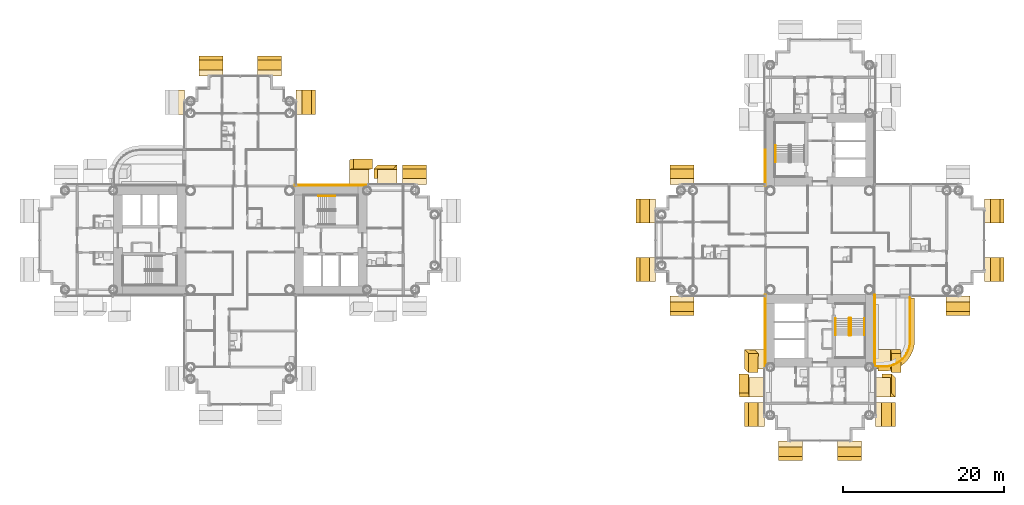
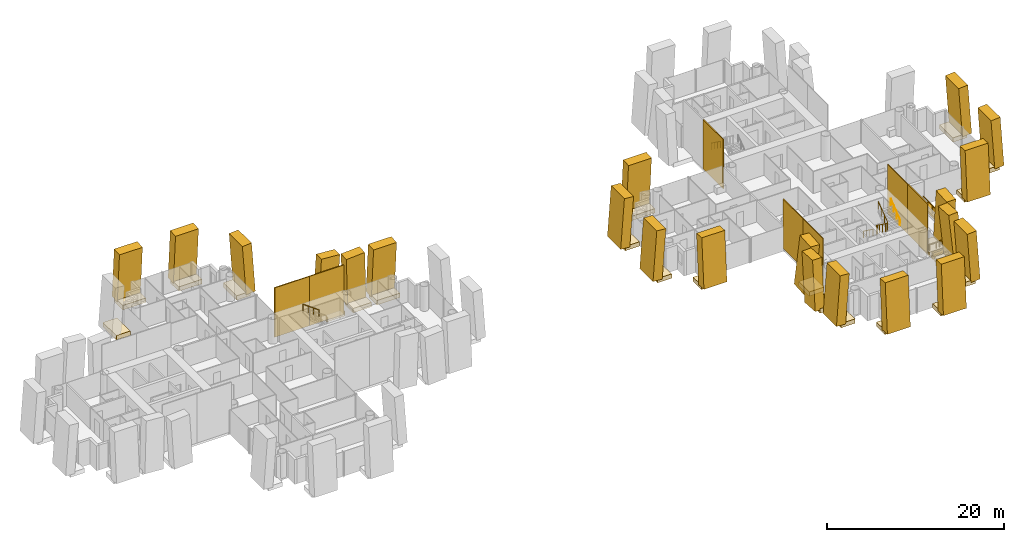
# One storey, part 23 of 25: 51 coverings, 6 railings.
"""IFC4 building model written with IfcOpenShell, lengths in metres."""

from ifc_helpers import new_model, si_unit, direction, frame, origin, origin_2d, place, context, subcontext, project, spatial, polyline, rectangle, circle, outline, extrude, material, layer, layer_set, material_profile, profile_set, type_object, element, save


model = new_model("IFC4")

# Units and contexts
model_context = context("Model", 3, precision=1e-05, world=origin(), true_north=direction((0.0, 1.0)))
body_context = subcontext(model_context, "Body", "Model", "MODEL_VIEW")
ifc_project = project(units=[si_unit("LENGTHUNIT", "METRE"), si_unit("AREAUNIT", "SQUARE_METRE"), si_unit("VOLUMEUNIT", "CUBIC_METRE"), si_unit("PLANEANGLEUNIT", "RADIAN"), si_unit("MASSUNIT", "GRAM", prefix="KILO")], contexts=[model_context])

# Site, building, storey
site_placement = place(None, origin())
site = spatial("IfcSite", under=ifc_project, at=site_placement, CompositionType="ELEMENT")
building_placement = place(site_placement, origin())
building = spatial("IfcBuilding", under=site, at=building_placement, Name="Ipe Terrace Towers", CompositionType="ELEMENT")
storey_placement = place(building_placement, frame((0.0, 0.0, 31.300048828125)))
storey = spatial("IfcBuildingStorey", under=building, at=storey_placement, Name="L07", CompositionType="ELEMENT", Elevation=31.300048828125)

# Railing
ifc_material_1 = material(Name="Stainless steel S316", Category="steel")
railing_type_1 = type_object("IfcRailingType", Name="GUARD 1100", PredefinedType="BALUSTRADE", material=ifc_material_1)
railing_1_placement = place(storey_placement, frame((43.070068359375, -15.699951171875, -0.02001953125)))
element("IfcRailing", 1, at=railing_1_placement, inside=storey, type_object=railing_type_1, Name="guard", PredefinedType="BALUSTRADE", context=body_context, shape_type="SweptSolid", body=[
    extrude(circle(Radius=0.02392578125, at=origin_2d()), frame((0.0, 0.0, 1.076171875), z_axis=(1.0, 0.0, 0.0), x_axis=(0.0, 1.0, 0.0)), (0.0, 0.0, 1.0), 0.8779296875),
    extrude(circle(Radius=0.02392578125, at=origin_2d()), frame((0.8779296875, 0.0, 1.076171875), z_axis=(0.997872833927, 0.065190546171, 0.0), x_axis=(-0.065190546171, 0.997872833927, 0.0)), (0.0, 0.0, 1.0), 0.427001953125),
    extrude(circle(Radius=0.02392578125, at=origin_2d()), frame((1.303955078125, 0.02783203125, 1.076171875), z_axis=(0.980756958892, 0.195232649896, 0.0), x_axis=(-0.195232649896, 0.980756958892, 0.0)), (0.0, 0.0, 1.0), 0.42529296875),
    extrude(circle(Radius=0.02392578125, at=origin_2d()), frame((1.720947265625, 0.11083984375, 1.076171875), z_axis=(0.947355280148, 0.320184280026, 0.0), x_axis=(-0.320184280026, 0.947355280148, 0.0)), (0.0, 0.0, 1.0), 0.425537109375),
    extrude(circle(Radius=0.02392578125, at=origin_2d()), frame((2.1240234375, 0.2470703125, 1.076171875), z_axis=(0.895801099535, 0.444455160923, 0.0), x_axis=(-0.444455160923, 0.895801099535, 0.0)), (0.0, 0.0, 1.0), 0.425048828125),
    extrude(circle(Radius=0.02392578125, at=origin_2d()), frame((2.5048828125, 0.43603515625, 1.076171875), z_axis=(0.83151910003, 0.55549616226, 0.0), x_axis=(-0.55549616226, 0.83151910003, 0.0)), (0.0, 0.0, 1.0), 0.424560546875),
    extrude(circle(Radius=0.02392578125, at=origin_2d()), frame((2.85791015625, 0.671875, 1.076171875), z_axis=(0.752612255774, 0.658463964434, 0.0), x_axis=(-0.658463964434, 0.752612255774, 0.0)), (0.0, 0.0, 1.0), 0.42529296875),
    extrude(circle(Radius=0.02392578125, at=origin_2d()), frame((3.177978515625, 0.951904296875, 1.076171875), z_axis=(0.658463964434, 0.752612255774, 0.0), x_axis=(-0.752612255774, 0.658463964434, 0.0)), (0.0, 0.0, 1.0), 0.42529296875),
    extrude(circle(Radius=0.02392578125, at=origin_2d()), frame((3.4580078125, 1.27197265625, 1.076171875), z_axis=(0.55549616226, 0.83151910003, 0.0), x_axis=(-0.83151910003, 0.55549616226, 0.0)), (0.0, 0.0, 1.0), 0.424560546875),
    extrude(circle(Radius=0.02392578125, at=origin_2d()), frame((3.69384765625, 1.625, 1.076171875), z_axis=(0.444455160923, 0.895801099535, 0.0), x_axis=(-0.895801099535, 0.444455160923, 0.0)), (0.0, 0.0, 1.0), 0.425048828125),
    extrude(circle(Radius=0.02392578125, at=origin_2d()), frame((3.8828125, 2.005859375, 1.076171875), z_axis=(0.320184280026, 0.947355280148, 0.0), x_axis=(-0.947355280148, 0.320184280026, 0.0)), (0.0, 0.0, 1.0), 0.425537109375),
    extrude(circle(Radius=0.02392578125, at=origin_2d()), frame((4.01904296875, 2.408935546875, 1.076171875), z_axis=(0.195232649896, 0.980756958892, 0.0), x_axis=(-0.980756958892, 0.195232649896, 0.0)), (0.0, 0.0, 1.0), 0.42529296875),
    extrude(circle(Radius=0.02392578125, at=origin_2d()), frame((4.10205078125, 2.825927734375, 1.076171875), z_axis=(0.065190546171, 0.997872833927, 0.0), x_axis=(-0.997872833927, 0.065190546171, 0.0)), (0.0, 0.0, 1.0), 0.427001953125),
    extrude(circle(Radius=0.02392578125, at=origin_2d()), frame((4.1298828125, 3.251953125, 1.076171875), z_axis=(0.0, 1.0, 0.0), x_axis=(-1.0, 0.0, 0.0)), (0.0, 0.0, 1.0), 5.3779296875),
    extrude(circle(Radius=0.02099609375, at=origin_2d()), origin(), (0.0, 0.0, 1.0), 1.052001953125),
    extrude(circle(Radius=0.02099609375, at=origin_2d()), frame((0.8779296875, 0.0, 0.0)), (0.0, 0.0, 1.0), 1.052001953125),
    extrude(circle(Radius=0.02099609375, at=origin_2d()), frame((1.303955078125, 0.02783203125, 0.0)), (0.0, 0.0, 1.0), 1.052001953125),
    extrude(circle(Radius=0.02099609375, at=origin_2d()), frame((1.720947265625, 0.11083984375, 0.0)), (0.0, 0.0, 1.0), 1.052001953125),
    extrude(circle(Radius=0.02099609375, at=origin_2d()), frame((2.1240234375, 0.2470703125, 0.0)), (0.0, 0.0, 1.0), 1.052001953125),
    extrude(circle(Radius=0.02099609375, at=origin_2d()), frame((2.5048828125, 0.43603515625, 0.0)), (0.0, 0.0, 1.0), 1.052001953125),
    extrude(circle(Radius=0.02099609375, at=origin_2d()), frame((2.85791015625, 0.671875, 0.0)), (0.0, 0.0, 1.0), 1.052001953125),
    extrude(circle(Radius=0.02099609375, at=origin_2d()), frame((3.177978515625, 0.951904296875, 0.0)), (0.0, 0.0, 1.0), 1.052001953125),
    extrude(circle(Radius=0.02099609375, at=origin_2d()), frame((3.4580078125, 1.27197265625, 0.0)), (0.0, 0.0, 1.0), 1.052001953125),
    extrude(circle(Radius=0.02099609375, at=origin_2d()), frame((3.69384765625, 1.625, 0.0)), (0.0, 0.0, 1.0), 1.052001953125),
    extrude(circle(Radius=0.02099609375, at=origin_2d()), frame((3.8828125, 2.005859375, 0.0)), (0.0, 0.0, 1.0), 1.052001953125),
    extrude(circle(Radius=0.02099609375, at=origin_2d()), frame((4.01904296875, 2.408935546875, 0.0)), (0.0, 0.0, 1.0), 1.052001953125),
    extrude(circle(Radius=0.02099609375, at=origin_2d()), frame((4.10205078125, 2.825927734375, 0.0)), (0.0, 0.0, 1.0), 1.052001953125),
    extrude(circle(Radius=0.02099609375, at=origin_2d()), frame((4.1298828125, 3.251953125, 0.0)), (0.0, 0.0, 1.0), 1.052001953125),
    extrude(circle(Radius=0.02099609375, at=origin_2d()), frame((4.1298828125, 4.32763671875, 0.0)), (0.0, 0.0, 1.0), 1.052001953125),
    extrude(circle(Radius=0.02099609375, at=origin_2d()), frame((4.1298828125, 5.403076171875, 0.0)), (0.0, 0.0, 1.0), 1.052001953125),
    extrude(circle(Radius=0.02099609375, at=origin_2d()), frame((4.1298828125, 6.478759765625, 0.0)), (0.0, 0.0, 1.0), 1.052001953125),
    extrude(circle(Radius=0.02099609375, at=origin_2d()), frame((4.1298828125, 7.55419921875, 0.0)), (0.0, 0.0, 1.0), 1.052001953125),
    extrude(circle(Radius=0.02099609375, at=origin_2d()), frame((4.1298828125, 8.6298828125, 0.0)), (0.0, 0.0, 1.0), 1.052001953125),
])

# Coverings
ifc_material_2 = material(Name="Concrete C50/60 precast, buff finish", Category="concrete")
ifc_layer_1 = layer(ifc_material_2, 0.1201171875)
ifc_layer_set_1 = layer_set([ifc_layer_1], Name="STONE CORE CLADDING 120")
covering_type_1 = type_object("IfcCoveringType", Name="STONE CORE CLADDING 120", PredefinedType="CLADDING", material=ifc_layer_set_1)
covering_1_placement = place(storey_placement, frame((-27.0, 6.81005859375, 0.0), z_axis=(0.0, 0.0, 1.0), x_axis=(-1.0, 0.0, 0.0)))
element("IfcCovering", 2, at=covering_1_placement, inside=storey, type_object=covering_type_1, Name="stone core cladding", PredefinedType="CLADDING", context=body_context, shape_type="SweptSolid", body=[
    extrude(rectangle(XDim=4.5, YDim=0.1201171875, at=origin_2d()), origin(), (0.0, 0.0, 1.0), 6.800048828125),
])
for number, where, z_axis, x_axis, name in (
    (3, (-22.4990234375, 6.81005859375, 0.0), (0.0, 0.0, 1.0), (-1.0, 0.0, 0.0), "stone core cladding"),
    (4, (29.18994140625, -13.5, 0.0), (0.0, 0.0, 1.0), (0.0, -1.0, 0.0), "stone core cladding"),
):
    element("IfcCovering", number, at=place(storey_placement, frame(where, z_axis=z_axis, x_axis=x_axis)), inside=storey, type_object=covering_type_1, Name=name, PredefinedType="CLADDING", context=body_context, shape_type="SweptSolid", body=[
        extrude(rectangle(XDim=4.5009765625, YDim=0.1201171875, at=origin_2d()), origin(), (0.0, 0.0, 1.0), 6.800048828125),
    ])
for number, where, z_axis, x_axis, name in (
    (5, (29.18994140625, -9.0, 0.0), (0.0, 0.0, 1.0), (0.0, -1.0, 0.0), "stone core cladding"),
    (6, (29.18994140625, 9.0, 0.0), (0.0, 0.0, 1.0), (0.0, -1.0, 0.0), "stone core cladding"),
):
    element("IfcCovering", number, at=place(storey_placement, frame(where, z_axis=z_axis, x_axis=x_axis)), inside=storey, type_object=covering_type_1, Name=name, PredefinedType="CLADDING", context=body_context, shape_type="SweptSolid", body=[
        extrude(rectangle(XDim=4.5, YDim=0.1201171875, at=origin_2d()), origin(), (0.0, 0.0, 1.0), 6.800048828125),
    ])
covering_2_placement = place(storey_placement, frame((42.81005859375, -13.5, 0.0), z_axis=(0.0, 0.0, 1.0), x_axis=(0.0, 1.0, 0.0)))
element("IfcCovering", 7, at=covering_2_placement, inside=storey, type_object=covering_type_1, Name="stone core cladding", PredefinedType="CLADDING", context=body_context, shape_type="SweptSolid", body=[
    extrude(rectangle(XDim=4.5009765625, YDim=0.1201171875, at=origin_2d()), origin(), (0.0, 0.0, 1.0), 6.800048828125),
])
covering_3_placement = place(storey_placement, frame((42.81005859375, -9.0, 0.0), z_axis=(0.0, 0.0, 1.0), x_axis=(0.0, 1.0, 0.0)))
element("IfcCovering", 8, at=covering_3_placement, inside=storey, type_object=covering_type_1, Name="stone core cladding", PredefinedType="CLADDING", context=body_context, shape_type="SweptSolid", body=[
    extrude(rectangle(XDim=4.5, YDim=0.1201171875, at=origin_2d()), origin(), (0.0, 0.0, 1.0), 6.800048828125),
])
ifc_material_3 = material(Name="Concrete C50/60 precast, buff finish", Category="concrete")
ifc_layer_2 = layer(ifc_material_3, 0.5)
ifc_layer_set_2 = layer_set([ifc_layer_2], Name="STONE EDGE BAND 500 x 900")
covering_type_2 = type_object("IfcCoveringType", Name="STONE EDGE BAND 500 x 900", PredefinedType="CLADDING", material=ifc_layer_set_2)
covering_4_placement = place(storey_placement, frame((0.0, 0.0, -0.719970703125)))
element("IfcCovering", 9, at=covering_4_placement, inside=storey, type_object=covering_type_2, Name="stone edge band", PredefinedType="CLADDING", context=body_context, shape_type="SweptSolid", body=[
    extrude(outline(polyline([(47.75, -12.449951171875), (47.75, -7.199951171875), (47.25, -7.199951171875), (47.25, -12.449951171875), (47.221923828125, -12.881103515625), (47.137939453125, -13.303955078125), (46.9990234375, -13.712890625), (46.80810546875, -14.10009765625), (46.568115234375, -14.458984375), (46.282958984375, -14.782958984375), (45.958984375, -15.068115234375), (45.60009765625, -15.30810546875), (45.212890625, -15.4990234375), (44.803955078125, -15.637939453125), (44.381103515625, -15.721923828125), (43.949951171875, -15.75), (43.199951171875, -15.75), (43.199951171875, -16.25), (43.949951171875, -16.25), (43.98291015625, -16.2490234375), (44.4130859375, -16.220947265625), (44.47802734375, -16.2119140625), (44.902099609375, -16.1279296875), (44.965087890625, -16.111083984375), (45.3740234375, -15.971923828125), (45.43408203125, -15.947021484375), (45.821044921875, -15.756103515625), (45.8779296875, -15.72412109375), (46.237060546875, -15.48388671875), (46.2890625, -15.444091796875), (46.613037109375, -15.158935546875), (46.658935546875, -15.113037109375), (46.944091796875, -14.7890625), (46.98388671875, -14.737060546875), (47.22412109375, -14.3779296875), (47.256103515625, -14.321044921875), (47.447021484375, -13.93408203125), (47.471923828125, -13.8740234375), (47.611083984375, -13.465087890625), (47.6279296875, -13.402099609375), (47.7119140625, -12.97802734375), (47.720947265625, -12.9130859375), (47.7490234375, -12.48291015625), (47.75, -12.449951171875)])), origin(), (0.0, 0.0, 1.0), 0.89990234375),
])
ifc_material_4 = material(Name="Concrete C50/60 precast, buff finish", Category="concrete")
ifc_material_profile_1 = material_profile(ifc_material_4, rectangle(XDim=2.39990234375, YDim=1.199951171875, at=origin_2d()), Name="STONE FIN 2400 x 1200")
ifc_profile_set_1 = profile_set([ifc_material_profile_1], Name="Concrete C50/60 precast, buff finish")
covering_type_3 = type_object("IfcCoveringType", Name="STONE FIN 2400 x 1200", PredefinedType="USERDEFINED", material=ifc_profile_set_1)
covering_5_placement = place(storey_placement, frame((-17.739013671875, 8.758056640625, 0.0), z_axis=(-0.067881925236, -0.071704749447, 0.995113296632), x_axis=(-0.997693361823, 0.004878709859, -0.067706380526)))
element("IfcCovering", 10, at=covering_5_placement, inside=storey, type_object=covering_type_3, Name="stone fin", ObjectType="FIN", PredefinedType="USERDEFINED", context=body_context, shape_type="SweptSolid", body=[
    extrude(rectangle(XDim=2.39990234375, YDim=1.199951171875, at=origin_2d()), origin(), (0.0, 0.0, 1.0), 6.83349609375),
])
covering_6_placement = place(storey_placement, frame((-21.2109375, 9.388916015625, 0.0), z_axis=(0.068052528161, 0.011604746907, 0.997614245718), x_axis=(-0.99768173954, 0.000791567422, 0.068047924363)))
element("IfcCovering", 11, at=covering_6_placement, inside=storey, type_object=covering_type_3, Name="stone fin", ObjectType="FIN", PredefinedType="USERDEFINED", context=body_context, shape_type="SweptSolid", body=[
    extrude(rectangle(XDim=2.39990234375, YDim=1.199951171875, at=origin_2d()), origin(), (0.0, 0.0, 1.0), 6.81640625),
])
covering_7_placement = place(storey_placement, frame((27.241943359375, -14.7890625, 0.0), z_axis=(0.071704749447, -0.067881925236, 0.995113296632), x_axis=(-0.004878709859, -0.997693361823, -0.067706380526)))
element("IfcCovering", 12, at=covering_7_placement, inside=storey, type_object=covering_type_3, Name="stone fin", ObjectType="FIN", PredefinedType="USERDEFINED", context=body_context, shape_type="SweptSolid", body=[
    extrude(rectangle(XDim=2.39990234375, YDim=1.199951171875, at=origin_2d()), origin(), (0.0, 0.0, 1.0), 6.83349609375),
])
for number, where, z_axis, x_axis, name in (
    (13, (26.611083984375, -18.260986328125, 0.0), (-0.011604746907, 0.068052528161, 0.997614245718), (-0.000791567422, -0.99768173954, 0.068047924363), "stone fin"),
    (14, (45.388916015625, -14.7890625, 0.0), (0.011604746907, -0.068052528161, 0.997614245718), (0.000791567422, 0.99768173954, 0.068047924363), "stone fin"),
):
    element("IfcCovering", number, at=place(storey_placement, frame(where, z_axis=z_axis, x_axis=x_axis)), inside=storey, type_object=covering_type_3, Name=name, ObjectType="FIN", PredefinedType="USERDEFINED", context=body_context, shape_type="SweptSolid", body=[
        extrude(rectangle(XDim=2.39990234375, YDim=1.199951171875, at=origin_2d()), origin(), (0.0, 0.0, 1.0), 6.81640625),
    ])
covering_8_placement = place(storey_placement, frame((44.758056640625, -18.260986328125, 0.0), z_axis=(-0.071704749447, 0.067881925236, 0.995113296632), x_axis=(0.004878709859, 0.997693361823, -0.067706380526)))
element("IfcCovering", 15, at=covering_8_placement, inside=storey, type_object=covering_type_3, Name="stone fin", ObjectType="FIN", PredefinedType="USERDEFINED", context=body_context, shape_type="SweptSolid", body=[
    extrude(rectangle(XDim=2.39990234375, YDim=1.199951171875, at=origin_2d()), origin(), (0.0, 0.0, 1.0), 6.83349609375),
])
ifc_material_5 = material(Name="Concrete C50/60 precast, buff finish", Category="concrete")
ifc_material_profile_2 = material_profile(ifc_material_5, rectangle(XDim=3.0, YDim=1.199951171875, at=origin_2d()), Name="STONE FIN CORNER 3000 x 1200")
ifc_profile_set_2 = profile_set([ifc_material_profile_2], Name="Concrete C50/60 precast, buff finish")
covering_type_4 = type_object("IfcCoveringType", Name="STONE FIN CORNER 3000 x 1200", PredefinedType="USERDEFINED", material=ifc_profile_set_2)
for number, where, z_axis, x_axis, name in (
    (16, (-14.35009765625, 8.758056640625, 0.0), (0.0, -0.071870528752, 0.997413969772), (-1.0, 0.0, 0.0), "stone fin"),
    (17, (-27.241943359375, 17.14990234375, 0.0), (-0.071870528752, 0.0, 0.997413969772), (0.0, 1.0, 0.0), "stone fin"),
    (18, (-32.35009765625, 22.258056640625, 0.0), (0.0, -0.071870528752, 0.997413969772), (-1.0, 0.0, 0.0), "stone fin"),
    (19, (-39.64990234375, 22.258056640625, 0.0), (0.0, -0.071870528752, 0.997413969772), (-1.0, 0.0, 0.0), "stone fin"),
    (20, (13.741943359375, -3.64990234375, 0.0), (0.071870528752, 0.0, 0.997413969772), (0.0, -1.0, 0.0), "stone fin"),
    (21, (13.741943359375, 3.64990234375, 0.0), (0.071870528752, 0.0, 0.997413969772), (0.0, -1.0, 0.0), "stone fin"),
    (22, (18.85009765625, -8.758056640625, 0.0), (0.0, 0.071870528752, 0.997413969772), (1.0, 0.0, 0.0), "stone fin"),
    (23, (18.85009765625, 8.758056640625, 0.0), (0.0, -0.071870528752, 0.997413969772), (-1.0, 0.0, 0.0), "stone fin"),
    (24, (27.241943359375, -21.64990234375, 0.0), (0.071870528752, 0.0, 0.997413969772), (0.0, -1.0, 0.0), "stone fin"),
    (25, (32.35009765625, -26.758056640625, 0.0), (0.0, 0.071870528752, 0.997413969772), (1.0, 0.0, 0.0), "stone fin"),
    (26, (39.64990234375, -26.758056640625, 0.0), (0.0, 0.071870528752, 0.997413969772), (1.0, 0.0, 0.0), "stone fin"),
    (27, (44.758056640625, -21.64990234375, 0.0), (-0.071870528752, 0.0, 0.997413969772), (0.0, 1.0, 0.0), "stone fin"),
    (28, (53.14990234375, -8.758056640625, 0.0), (0.0, 0.071870528752, 0.997413969772), (1.0, 0.0, 0.0), "stone fin"),
    (29, (58.258056640625, -3.64990234375, 0.0), (-0.071870528752, 0.0, 0.997413969772), (0.0, 1.0, 0.0), "stone fin"),
    (30, (58.258056640625, 3.64990234375, 0.0), (-0.071870528752, 0.0, 0.997413969772), (0.0, 1.0, 0.0), "stone fin"),
):
    element("IfcCovering", number, at=place(storey_placement, frame(where, z_axis=z_axis, x_axis=x_axis)), inside=storey, type_object=covering_type_4, Name=name, ObjectType="FIN", PredefinedType="USERDEFINED", context=body_context, shape_type="SweptSolid", body=[
        extrude(rectangle(XDim=3.0, YDim=1.199951171875, at=origin_2d()), origin(), (0.0, 0.0, 1.0), 6.817626953125),
    ])
ifc_material_6 = material(Name="Concrete C50/60 precast, buff finish", Category="concrete")
covering_type_5 = type_object("IfcCoveringType", Name="STONE FIN SHELF 2400 x 600", PredefinedType="CLADDING", material=ifc_material_6)
covering_9_placement = place(storey_placement, frame((-17.739013671875, 7.8369140625, -0.35009765625), z_axis=(0.0, 0.0, 1.0), x_axis=(-1.0, 0.0, 0.0)))
element("IfcCovering", 31, at=covering_9_placement, inside=storey, type_object=covering_type_5, Name="stone fin shelf", PredefinedType="CLADDING", context=body_context, shape_type="SweptSolid", body=[
    extrude(rectangle(XDim=2.39990234375, YDim=1.842041015625, at=origin_2d()), origin(), (0.0, 0.0, 1.0), 0.60009765625),
])
covering_10_placement = place(storey_placement, frame((-21.2109375, 8.1240234375, -0.35009765625), z_axis=(0.0, 0.0, 1.0), x_axis=(-1.0, 0.0, 0.0)))
element("IfcCovering", 32, at=covering_10_placement, inside=storey, type_object=covering_type_5, Name="stone fin shelf", PredefinedType="CLADDING", context=body_context, shape_type="SweptSolid", body=[
    extrude(rectangle(XDim=2.39990234375, YDim=2.529052734375, at=origin_2d()), origin(), (0.0, 0.0, 1.0), 0.60009765625),
])
covering_11_placement = place(storey_placement, frame((28.19091796875, -14.7890625, -0.35009765625), z_axis=(0.0, 0.0, 1.0), x_axis=(0.0, -1.0, 0.0)))
element("IfcCovering", 33, at=covering_11_placement, inside=storey, type_object=covering_type_5, Name="stone fin shelf", PredefinedType="CLADDING", context=body_context, shape_type="SweptSolid", body=[
    extrude(rectangle(XDim=2.39990234375, YDim=1.89794921875, at=origin_2d()), origin(), (0.0, 0.0, 1.0), 0.60009765625),
])
covering_12_placement = place(storey_placement, frame((27.847900390625, -18.260986328125, -0.35009765625), z_axis=(0.0, 0.0, 1.0), x_axis=(0.0, -1.0, 0.0)))
element("IfcCovering", 34, at=covering_12_placement, inside=storey, type_object=covering_type_5, Name="stone fin shelf", PredefinedType="CLADDING", context=body_context, shape_type="SweptSolid", body=[
    extrude(rectangle(XDim=2.39990234375, YDim=2.472900390625, at=origin_2d()), origin(), (0.0, 0.0, 1.0), 0.60009765625),
])
covering_13_placement = place(storey_placement, frame((44.125, -14.7890625, -0.35009765625), z_axis=(0.0, 0.0, 1.0), x_axis=(0.0, 1.0, 0.0)))
element("IfcCovering", 35, at=covering_13_placement, inside=storey, type_object=covering_type_5, Name="stone fin shelf", PredefinedType="CLADDING", context=body_context, shape_type="SweptSolid", body=[
    extrude(rectangle(XDim=2.39990234375, YDim=2.529052734375, at=origin_2d()), origin(), (0.0, 0.0, 1.0), 0.60009765625),
])
covering_14_placement = place(storey_placement, frame((43.8369140625, -18.260986328125, -0.35009765625), z_axis=(0.0, 0.0, 1.0), x_axis=(0.0, 1.0, 0.0)))
element("IfcCovering", 36, at=covering_14_placement, inside=storey, type_object=covering_type_5, Name="stone fin shelf", PredefinedType="CLADDING", context=body_context, shape_type="SweptSolid", body=[
    extrude(rectangle(XDim=2.39990234375, YDim=1.842041015625, at=origin_2d()), origin(), (0.0, 0.0, 1.0), 0.60009765625),
])
ifc_material_7 = material(Name="Concrete C50/60 precast, buff finish", Category="concrete")
covering_type_6 = type_object("IfcCoveringType", Name="STONE FIN SHELF 3000 x 600", PredefinedType="CLADDING", material=ifc_material_7)
for number, where, z_axis, x_axis, name in (
    (37, (-14.35009765625, 7.8369140625, -0.35009765625), (0.0, 0.0, 1.0), (-1.0, 0.0, 0.0), "stone fin shelf"),
    (38, (-28.1630859375, 17.14990234375, -0.35009765625), (0.0, 0.0, 1.0), (0.0, 1.0, 0.0), "stone fin shelf"),
    (39, (-32.35009765625, 21.3369140625, -0.35009765625), (0.0, 0.0, 1.0), (-1.0, 0.0, 0.0), "stone fin shelf"),
    (40, (-39.64990234375, 21.3369140625, -0.35009765625), (0.0, 0.0, 1.0), (-1.0, 0.0, 0.0), "stone fin shelf"),
    (41, (-43.8369140625, 17.14990234375, -0.35009765625), (0.0, 0.0, 1.0), (0.0, -1.0, 0.0), "stone fin shelf"),
    (42, (14.6630859375, -3.64990234375, -0.35009765625), (0.0, 0.0, 1.0), (0.0, -1.0, 0.0), "stone fin shelf"),
    (43, (14.6630859375, 3.64990234375, -0.35009765625), (0.0, 0.0, 1.0), (0.0, -1.0, 0.0), "stone fin shelf"),
    (44, (18.85009765625, -7.8369140625, -0.35009765625), (0.0, 0.0, 1.0), (1.0, 0.0, 0.0), "stone fin shelf"),
    (45, (18.85009765625, 7.8369140625, -0.35009765625), (0.0, 0.0, 1.0), (-1.0, 0.0, 0.0), "stone fin shelf"),
    (46, (28.1630859375, -21.64990234375, -0.35009765625), (0.0, 0.0, 1.0), (0.0, -1.0, 0.0), "stone fin shelf"),
    (47, (32.35009765625, -25.8369140625, -0.35009765625), (0.0, 0.0, 1.0), (1.0, 0.0, 0.0), "stone fin shelf"),
    (48, (39.64990234375, -25.8369140625, -0.35009765625), (0.0, 0.0, 1.0), (1.0, 0.0, 0.0), "stone fin shelf"),
    (49, (43.8369140625, -21.64990234375, -0.35009765625), (0.0, 0.0, 1.0), (0.0, 1.0, 0.0), "stone fin shelf"),
    (50, (53.14990234375, -7.8369140625, -0.35009765625), (0.0, 0.0, 1.0), (1.0, 0.0, 0.0), "stone fin shelf"),
    (51, (57.3369140625, -3.64990234375, -0.35009765625), (0.0, 0.0, 1.0), (0.0, 1.0, 0.0), "stone fin shelf"),
    (52, (57.3369140625, 3.64990234375, -0.35009765625), (0.0, 0.0, 1.0), (0.0, 1.0, 0.0), "stone fin shelf"),
):
    element("IfcCovering", number, at=place(storey_placement, frame(where, z_axis=z_axis, x_axis=x_axis)), inside=storey, type_object=covering_type_6, Name=name, PredefinedType="CLADDING", context=body_context, shape_type="SweptSolid", body=[
        extrude(rectangle(XDim=3.0, YDim=1.842041015625, at=origin_2d()), origin(), (0.0, 0.0, 1.0), 0.60009765625),
    ])

# Railings
ifc_material_8 = material(Name="Steel S355", Category="steel")
railing_type_2 = type_object("IfcRailingType", Name="Stair guard 1100", PredefinedType="GUARDRAIL", material=ifc_material_8)
railing_2_placement = place(storey_placement, frame((39.800048828125, -9.64990234375, 0.0)))
element("IfcRailing", 53, at=railing_2_placement, inside=storey, type_object=railing_type_2, Name="L07 T2-ST2 stair guard 1", PredefinedType="GUARDRAIL", context=body_context, shape_type="SweptSolid", body=[
    extrude(circle(Radius=0.02392578125, at=origin_2d()), frame((0.0, 0.0, 1.076171875), z_axis=(-1.0, 0.0, 0.0), x_axis=(0.0, -1.0, 0.0)), (0.0, 0.0, 1.0), 0.150146484375),
    extrude(circle(Radius=0.02392578125, at=origin_2d()), frame((-0.150146484375, 0.0, 1.076171875), z_axis=(-0.247173786771, -0.248385422981, 0.936594790069), x_axis=(0.708833529934, -0.705375805398, 0.0)), (0.0, 0.0, 1.0), 0.201416015625),
    extrude(circle(Radius=0.02392578125, at=origin_2d()), frame((-0.199951171875, -0.050048828125, 1.2646484375), z_axis=(0.0, -0.809023421508, 0.587776406001), x_axis=(1.0, 0.0, 0.0)), (0.0, 0.0, 1.0), 2.571044921875),
    extrude(circle(Radius=0.02392578125, at=origin_2d()), frame((-0.199951171875, -2.130126953125, 2.77587890625), z_axis=(0.705375805398, -0.708833529934, 0.0), x_axis=(0.708833529934, 0.705375805398, 0.0)), (0.0, 0.0, 1.0), 0.070556640625),
    extrude(circle(Radius=0.02392578125, at=origin_2d()), frame((-0.150146484375, -2.18017578125, 2.77587890625), z_axis=(1.0, 0.0, 0.0), x_axis=(0.0, 1.0, 0.0)), (0.0, 0.0, 1.0), 0.150146484375),
    extrude(circle(Radius=0.02392578125, at=origin_2d()), frame((0.0, -2.18017578125, 2.77587890625), z_axis=(0.248029566107, 0.248029566107, 0.936462849596), x_axis=(-0.707106781187, 0.707106781187, 0.0)), (0.0, 0.0, 1.0), 0.201904296875),
    extrude(circle(Radius=0.02392578125, at=origin_2d()), frame((0.050048828125, -2.130126953125, 2.96484375), z_axis=(0.0, 0.809068575486, 0.587714250432), x_axis=(-1.0, 0.0, 0.0)), (0.0, 0.0, 1.0), 2.571044921875),
    extrude(circle(Radius=0.02099609375, at=origin_2d()), origin(), (0.0, 0.0, 1.0), 1.052001953125),
    extrude(circle(Radius=0.02099609375, at=origin_2d()), frame((-0.150146484375, 0.0, 0.0)), (0.0, 0.0, 1.0), 1.052001953125),
    extrude(circle(Radius=0.02099609375, at=origin_2d()), frame((-0.199951171875, -0.050048828125, 0.188720703125)), (0.0, 0.0, 1.0), 1.052001953125),
    extrude(circle(Radius=0.02099609375, at=origin_2d()), frame((-0.199951171875, -0.743408203125, 0.6923828125)), (0.0, 0.0, 1.0), 1.052001953125),
    extrude(circle(Radius=0.02099609375, at=origin_2d()), frame((-0.199951171875, -1.436767578125, 1.1962890625)), (0.0, 0.0, 1.0), 1.052001953125),
    extrude(circle(Radius=0.02099609375, at=origin_2d()), frame((-0.199951171875, -2.130126953125, 1.699951171875)), (0.0, 0.0, 1.0), 1.052001953125),
    extrude(circle(Radius=0.02099609375, at=origin_2d()), frame((-0.150146484375, -2.18017578125, 1.699951171875)), (0.0, 0.0, 1.0), 1.052001953125),
    extrude(circle(Radius=0.02099609375, at=origin_2d()), frame((0.0, -2.18017578125, 1.699951171875)), (0.0, 0.0, 1.0), 1.052001953125),
    extrude(circle(Radius=0.02099609375, at=origin_2d()), frame((0.050048828125, -2.130126953125, 1.888916015625)), (0.0, 0.0, 1.0), 1.052001953125),
    extrude(circle(Radius=0.02099609375, at=origin_2d()), frame((0.050048828125, -1.436767578125, 2.392578125)), (0.0, 0.0, 1.0), 1.052001953125),
    extrude(circle(Radius=0.02099609375, at=origin_2d()), frame((0.050048828125, -0.743408203125, 2.896240234375)), (0.0, 0.0, 1.0), 1.052001953125),
    extrude(circle(Radius=0.02099609375, at=origin_2d()), frame((0.050048828125, -0.050048828125, 3.39990234375)), (0.0, 0.0, 1.0), 1.052001953125),
])
ifc_material_9 = material(Name="Stainless steel grade 304", Category="steel")
railing_type_3 = type_object("IfcRailingType", Name="Stair handrail 900", PredefinedType="HANDRAIL", material=ifc_material_9)
railing_3_placement = place(storey_placement, frame((-24.219970703125, 5.5, 1.888916015625)))
element("IfcRailing", 54, at=railing_3_placement, inside=storey, type_object=railing_type_3, Name="L07 T1-ST1 stair handrail 2", PredefinedType="HANDRAIL", context=body_context, shape_type="SweptSolid", body=[
    extrude(circle(Radius=0.02392578125, at=origin_2d()), frame((0.0, 0.0, 0.8759765625), z_axis=(-0.809068575486, 0.0, 0.587714250432), x_axis=(0.0, -1.0, 0.0)), (0.0, 0.0, 1.0), 2.571044921875),
    extrude(circle(Radius=0.02099609375, at=origin_2d()), origin(), (0.0, 0.0, 1.0), 0.851806640625),
    extrude(circle(Radius=0.02099609375, at=origin_2d()), frame((-0.693359375, 0.0, 0.503662109375)), (0.0, 0.0, 1.0), 0.851806640625),
    extrude(circle(Radius=0.02099609375, at=origin_2d()), frame((-1.38671875, 0.0, 1.00732421875)), (0.0, 0.0, 1.0), 0.851806640625),
    extrude(circle(Radius=0.02099609375, at=origin_2d()), frame((-2.080078125, 0.0, 1.510986328125)), (0.0, 0.0, 1.0), 0.851806640625),
])
railing_4_placement = place(storey_placement, frame((30.5, 11.780029296875, 1.888916015625)))
element("IfcRailing", 55, at=railing_4_placement, inside=storey, type_object=railing_type_3, Name="L07 T2-ST1 stair handrail 2", PredefinedType="HANDRAIL", context=body_context, shape_type="SweptSolid", body=[
    extrude(circle(Radius=0.02392578125, at=origin_2d()), frame((0.0, 0.0, 0.8759765625), z_axis=(0.0, -0.809068575486, 0.587714250432), x_axis=(1.0, 0.0, 0.0)), (0.0, 0.0, 1.0), 2.571044921875),
    extrude(circle(Radius=0.02099609375, at=origin_2d()), origin(), (0.0, 0.0, 1.0), 0.851806640625),
    extrude(circle(Radius=0.02099609375, at=origin_2d()), frame((0.0, -0.693359375, 0.503662109375)), (0.0, 0.0, 1.0), 0.851806640625),
    extrude(circle(Radius=0.02099609375, at=origin_2d()), frame((0.0, -1.38671875, 1.00732421875)), (0.0, 0.0, 1.0), 0.851806640625),
    extrude(circle(Radius=0.02099609375, at=origin_2d()), frame((0.0, -2.080078125, 1.510986328125)), (0.0, 0.0, 1.0), 0.851806640625),
])
railing_5_placement = place(storey_placement, frame((37.949951171875, -9.699951171875, 0.188720703125)))
element("IfcRailing", 56, at=railing_5_placement, inside=storey, type_object=railing_type_3, Name="L07 T2-ST2 stair handrail 1", PredefinedType="HANDRAIL", context=body_context, shape_type="SweptSolid", body=[
    extrude(circle(Radius=0.02392578125, at=origin_2d()), frame((0.0, 0.0, 0.8759765625), z_axis=(0.0, -0.809023421508, 0.587776406001), x_axis=(1.0, 0.0, 0.0)), (0.0, 0.0, 1.0), 2.571044921875),
    extrude(circle(Radius=0.02099609375, at=origin_2d()), origin(), (0.0, 0.0, 1.0), 0.851806640625),
    extrude(circle(Radius=0.02099609375, at=origin_2d()), frame((0.0, -0.693359375, 0.503662109375)), (0.0, 0.0, 1.0), 0.851806640625),
    extrude(circle(Radius=0.02099609375, at=origin_2d()), frame((0.0, -1.38671875, 1.007568359375)), (0.0, 0.0, 1.0), 0.851806640625),
    extrude(circle(Radius=0.02099609375, at=origin_2d()), frame((0.0, -2.080078125, 1.51123046875)), (0.0, 0.0, 1.0), 0.851806640625),
])
railing_6_placement = place(storey_placement, frame((41.5, -11.780029296875, 1.888916015625)))
element("IfcRailing", 57, at=railing_6_placement, inside=storey, type_object=railing_type_3, Name="L07 T2-ST2 stair handrail 2", PredefinedType="HANDRAIL", context=body_context, shape_type="SweptSolid", body=[
    extrude(circle(Radius=0.02392578125, at=origin_2d()), frame((0.0, 0.0, 0.8759765625), z_axis=(0.0, 0.809068575486, 0.587714250432), x_axis=(-1.0, 0.0, 0.0)), (0.0, 0.0, 1.0), 2.571044921875),
    extrude(circle(Radius=0.02099609375, at=origin_2d()), origin(), (0.0, 0.0, 1.0), 0.851806640625),
    extrude(circle(Radius=0.02099609375, at=origin_2d()), frame((0.0, 0.693359375, 0.503662109375)), (0.0, 0.0, 1.0), 0.851806640625),
    extrude(circle(Radius=0.02099609375, at=origin_2d()), frame((0.0, 1.38671875, 1.00732421875)), (0.0, 0.0, 1.0), 0.851806640625),
    extrude(circle(Radius=0.02099609375, at=origin_2d()), frame((0.0, 2.080078125, 1.510986328125)), (0.0, 0.0, 1.0), 0.851806640625),
])

save(model, "model.ifc")
